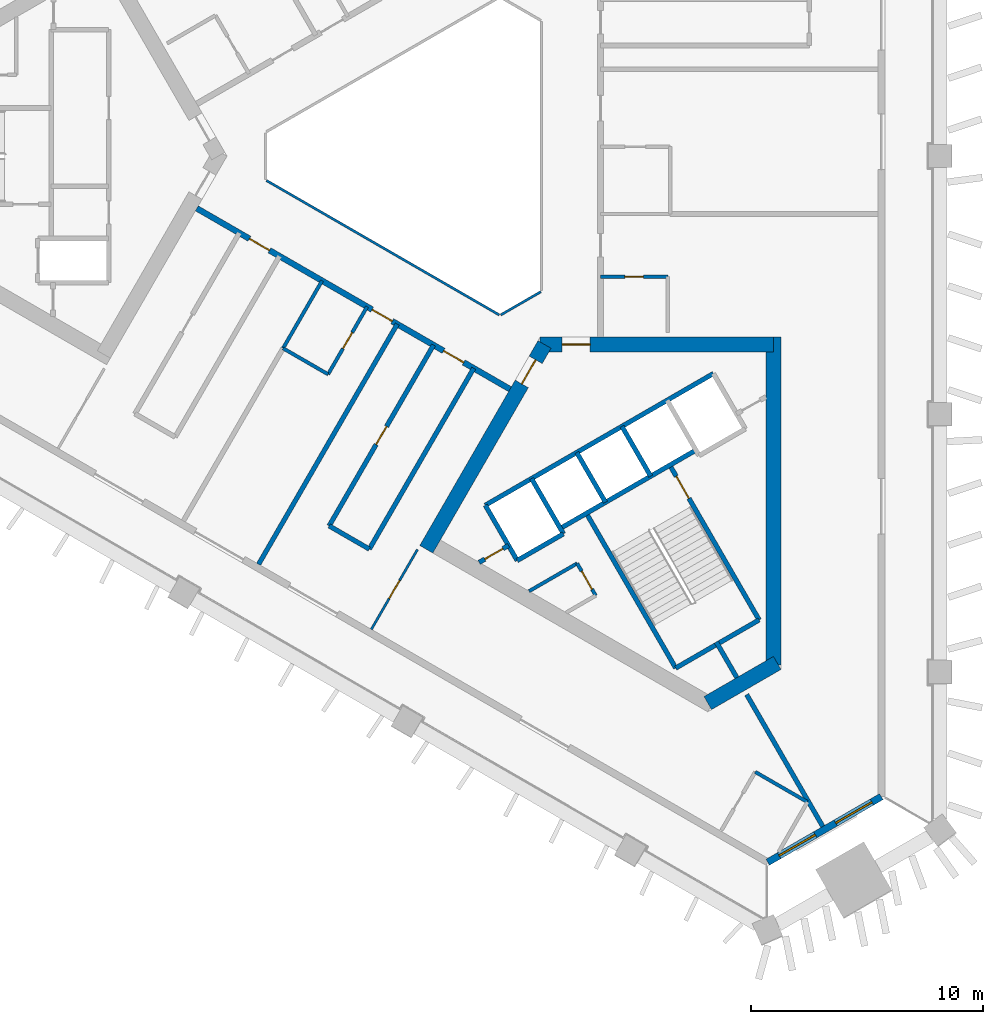
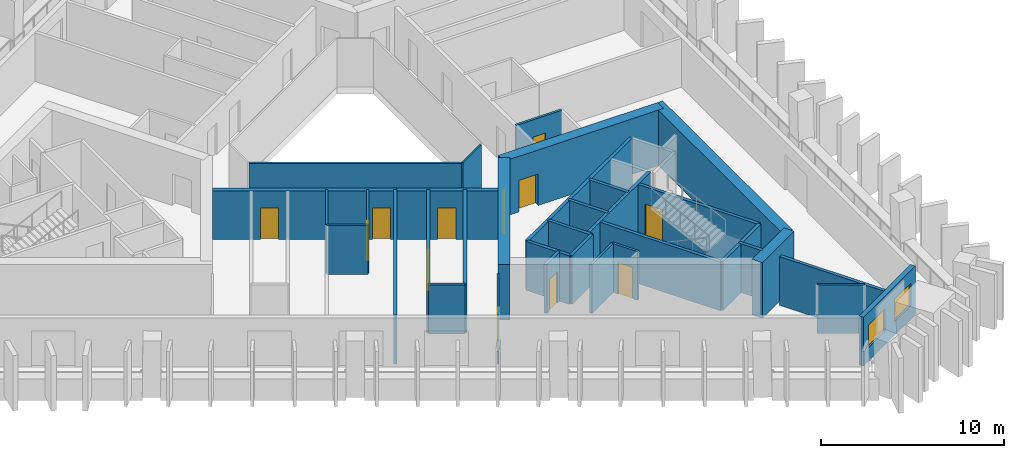
# One storey, part 3 of 11: 33 walls, 12 doors, 2 windows, 14 openings.
"""IFC4 building model written with IfcOpenShell, lengths in metres."""

from ifc_helpers import new_model, si_unit, direction, frame, frame_2d, origin, place, context, subcontext, project, spatial, rectangle, extrude, material, layer, layer_set, type_object, element, fill, save


model = new_model("IFC4")

# Units and contexts
model_context = context("Model", 3, precision=1e-05, world=origin(), true_north=direction((0.0, 1.0)))
body_context = subcontext(model_context, "Body", "Model", "MODEL_VIEW")
ifc_project = project(units=[si_unit("LENGTHUNIT", "METRE"), si_unit("AREAUNIT", "SQUARE_METRE"), si_unit("VOLUMEUNIT", "CUBIC_METRE"), si_unit("PLANEANGLEUNIT", "RADIAN"), si_unit("MASSUNIT", "GRAM", prefix="KILO")], contexts=[model_context])

# Site, building, storey
site_placement = place(None, origin())
site = spatial("IfcSite", under=ifc_project, at=site_placement, CompositionType="ELEMENT")
building_placement = place(site_placement, origin())
building = spatial("IfcBuilding", under=site, at=building_placement, Name="Jabali Bay Hotel Tower and Convention Centre", CompositionType="ELEMENT")
storey_placement = place(building_placement, frame((0.0, 0.0, 143.800048828125)))
storey = spatial("IfcBuildingStorey", under=building, at=storey_placement, Name="L35", CompositionType="ELEMENT", Elevation=143.800048828125)

# Walls
ifc_material_1 = material(Name="Fire-resistant glazing", Category="glass")
ifc_layer_1 = layer(ifc_material_1, 0.10009765625)
ifc_layer_set_1 = layer_set([ifc_layer_1], Name="Fire-resistant glazing")
wall_type_1 = type_object("IfcWallType", Name="Atrium glazed screen 100", PredefinedType="PARTITIONING", material=ifc_layer_set_1)
wall_1_placement = place(storey_placement, frame((67.7021484375, 78.947998046875, 0.0), z_axis=(0.0, 0.0, 1.0), x_axis=(0.866026658274, -0.499997827154, 0.0)))
element("IfcWall", 1, at=wall_1_placement, inside=storey, type_object=wall_type_1, Name="Atrium screen 5 L35", PredefinedType="PARTITIONING", context=body_context, shape_type="SweptSolid", body=[
    extrude(rectangle(XDim=11.58837890625, YDim=0.10009765625, at=frame_2d((5.794189453125, 0.0))), origin(), (0.0, 0.0, 1.0), 3.25),
])
wall_2_placement = place(storey_placement, frame((77.7978515625, 73.15380859375, 0.0), z_axis=(0.0, 0.0, 1.0), x_axis=(0.866041268327, 0.499972520799, 0.0)))
element("IfcWall", 2, at=wall_2_placement, inside=storey, type_object=wall_type_1, Name="Atrium screen 6 L35", PredefinedType="PARTITIONING", context=body_context, shape_type="SweptSolid", body=[
    extrude(rectangle(XDim=2.0, YDim=0.10009765625, at=frame_2d((1.0, 0.0))), origin(), (0.0, 0.0, 1.0), 3.25),
])
ifc_material_2 = material(Name="Concrete C40", Category="concrete")
ifc_layer_2 = layer(ifc_material_2, 0.199951171875)
ifc_layer_set_2 = layer_set([ifc_layer_2], Name="Concrete C40")
wall_type_2 = type_object("IfcWallType", Name="Core partition wall 200", PredefinedType="PARTITIONING", material=ifc_layer_set_2)
wall_3_placement = place(storey_placement, frame((87.090087890625, 59.0595703125, 0.0), z_axis=(0.0, 0.0, 1.0), x_axis=(0.499944938281, -0.866057191349, 0.0)))
element("IfcWall", 3, at=wall_3_placement, inside=storey, type_object=wall_type_2, Name="Core wall 2.5 L35", PredefinedType="PARTITIONING", context=body_context, shape_type="SweptSolid", body=[
    extrude(rectangle(XDim=1.773193359375, YDim=0.199951171875, at=frame_2d((0.88671875, 0.0))), origin(), (0.0, 0.0, 1.0), 3.25),
])

# Wall, opening, door
wall_4_placement = place(storey_placement, frame((76.869873046875, 62.489013671875, 0.0), z_axis=(0.0, 0.0, 1.0), x_axis=(0.866054810376, 0.49994906283, 0.0)))
wall_4 = element("IfcWall", 4, at=wall_4_placement, inside=storey, type_object=wall_type_2, Name="Core wall 2.11 L35", PredefinedType="PARTITIONING", context=body_context, shape_type="SweptSolid", body=[
    extrude(rectangle(XDim=1.461181640625, YDim=0.199951171875, at=frame_2d((0.73046875, 0.0))), origin(), (0.0, 0.0, 1.0), 3.25),
])
opening_1_placement = place(wall_4_placement, frame((0.280517578125, 0.0, 0.0)))
opening_1 = element("IfcOpeningElement", 5, at=opening_1_placement, cuts=wall_4, Name="Opening D779", PredefinedType="OPENING", context=body_context, shape_type="SweptSolid", body=[
    extrude(rectangle(XDim=0.89990234375, YDim=2.10009765625, at=frame_2d((0.449951171875, 1.050048828125))), frame((0.0, 0.1103515625, 0.0), z_axis=(0.0, -1.0, 0.0), x_axis=(1.0, 0.0, 0.0)), (0.0, 0.0, 1.0), 0.220947265625),
])
ifc_material_3 = material(Name="Fire-rated steel door", Category="steel")
door_type_1 = type_object("IfcDoorType", Name="Vestibule fire door 900 x 2100", OperationType="NOTDEFINED", PredefinedType="NOTDEFINED", material=ifc_material_3)
door_1_placement = place(opening_1_placement, origin())
door_1 = element("IfcDoor", 6, at=door_1_placement, inside=storey, type_object=door_type_1, Name="Vestibule fire door D779", OperationType="SINGLE_SWING_LEFT", OverallHeight=2.10009765625, OverallWidth=0.89990234375, PredefinedType="NOTDEFINED", context=body_context, shape_type="SweptSolid", body=[
    extrude(rectangle(XDim=0.89990234375, YDim=2.10009765625, at=frame_2d((0.449951171875, 1.050048828125))), frame((0.0, 0.02490234375, 0.0), z_axis=(0.0, -1.0, 0.0), x_axis=(1.0, 0.0, 0.0)), (0.0, 0.0, 1.0), 0.050048828125),
])
fill(opening_1, door_1)

ifc_material_4 = material(Name="Fire-rated board partition")
ifc_layer_3 = layer(ifc_material_4, 0.14990234375)
ifc_layer_set_3 = layer_set([ifc_layer_3], Name="Fire-rated board partition")
wall_type_3 = type_object("IfcWallType", Name="Core room partition 150", PredefinedType="PARTITIONING", material=ifc_layer_set_3)
wall_5_placement = place(storey_placement, frame((81.093994140625, 62.445068359375, 0.0), z_axis=(0.0, 0.0, 1.0), x_axis=(0.499880961361, -0.866094119867, 0.0)))
wall_5 = element("IfcWall", 7, at=wall_5_placement, inside=storey, type_object=wall_type_3, Name="Core wall 2.1 L35", PredefinedType="PARTITIONING", context=body_context, shape_type="SweptSolid", body=[
    extrude(rectangle(XDim=1.60009765625, YDim=0.14990234375, at=frame_2d((0.800048828125, 0.0))), origin(), (0.0, 0.0, 1.0), 3.25),
])
opening_2_placement = place(wall_5_placement, frame((0.387451171875, 0.0, 0.0)))
opening_2 = element("IfcOpeningElement", 8, at=opening_2_placement, cuts=wall_5, Name="Opening D781", PredefinedType="OPENING", context=body_context, shape_type="SweptSolid", body=[
    extrude(rectangle(XDim=0.89990234375, YDim=2.10009765625, at=frame_2d((0.449951171875, 1.050048828125))), frame((0.0, 0.08544921875, 0.0), z_axis=(0.0, -1.0, 0.0), x_axis=(1.0, 0.0, 0.0)), (0.0, 0.0, 1.0), 0.1708984375),
])
door_type_2 = type_object("IfcDoorType", Name="Core room door 900 x 2100", OperationType="NOTDEFINED", PredefinedType="NOTDEFINED", material=ifc_material_3)
door_2_placement = place(opening_2_placement, origin())
door_2 = element("IfcDoor", 9, at=door_2_placement, inside=storey, type_object=door_type_2, Name="Core room door D781", OperationType="SINGLE_SWING_LEFT", OverallHeight=2.10009765625, OverallWidth=0.89990234375, PredefinedType="NOTDEFINED", context=body_context, shape_type="SweptSolid", body=[
    extrude(rectangle(XDim=0.89990234375, YDim=2.10009765625, at=frame_2d((0.449951171875, 1.050048828125))), frame((0.0, 0.02490234375, 0.0), z_axis=(0.0, -1.0, 0.0), x_axis=(1.0, 0.0, 0.0)), (0.0, 0.0, 1.0), 0.050048828125),
])
fill(opening_2, door_2)

# Walls
wall_6_placement = place(storey_placement, frame((79.02001953125, 61.247802734375, 0.0), z_axis=(0.0, 0.0, 1.0), x_axis=(0.866051471819, 0.499954846121, 0.0)))
element("IfcWall", 10, at=wall_6_placement, inside=storey, type_object=wall_type_3, Name="Core wall 2.16 L35", PredefinedType="PARTITIONING", context=body_context, shape_type="SweptSolid", body=[
    extrude(rectangle(XDim=2.394775390625, YDim=0.14990234375, at=frame_2d((1.197265625, 0.0))), origin(), (0.0, 0.0, 1.0), 3.25),
])
ifc_layer_4 = layer(ifc_material_2, 0.199951171875)
ifc_layer_set_4 = layer_set([ifc_layer_4], Name="Concrete C40")
wall_type_4 = type_object("IfcWallType", Name="Core stair wall 200", PredefinedType="SOLIDWALL", material=ifc_layer_set_4)
for number, where, z_axis, x_axis, name in (
    (11, (77.13525390625, 64.95166015625, 0.0), (0.0, 0.0, 1.0), (0.499996545922, -0.866027397988, 0.0), "Core wall 2.0 L35"),
    (12, (79.127197265625, 66.1015625, 0.0), (0.0, 0.0, 1.0), (0.499996545922, -0.866027397988, 0.0), "Core wall 2.2 L35"),
):
    element("IfcWall", number, at=place(storey_placement, frame(where, z_axis=z_axis, x_axis=x_axis)), inside=storey, type_object=wall_type_4, Name=name, PredefinedType="SOLIDWALL", context=body_context, shape_type="SweptSolid", body=[
        extrude(rectangle(XDim=2.75, YDim=0.199951171875, at=frame_2d((1.375, 0.0))), origin(), (0.0, 0.0, 1.0), 3.25),
    ])
wall_7_placement = place(storey_placement, frame((81.492919921875, 64.603759765625, 0.0), z_axis=(0.0, 0.0, 1.0), x_axis=(0.500006057782, -0.866021906294, 0.0)))
element("IfcWall", 13, at=wall_7_placement, inside=storey, type_object=wall_type_4, Name="Core wall 2.3 L35", PredefinedType="SOLIDWALL", context=body_context, shape_type="SweptSolid", body=[
    extrude(rectangle(XDim=7.7001953125, YDim=0.199951171875, at=frame_2d((3.85009765625, 0.0))), origin(), (0.0, 0.0, 1.0), 3.25),
])
for number, where, z_axis, x_axis, name in (
    (14, (81.07568359375, 67.2265625, 0.0), (0.0, 0.0, 1.0), (0.50000366821, -0.866023285932, 0.0), "Core wall 2.4 L35"),
    (15, (83.024169921875, 68.3515625, 0.0), (0.0, 0.0, 1.0), (0.50000366821, -0.866023285932, 0.0), "Core wall 2.6 L35"),
):
    element("IfcWall", number, at=place(storey_placement, frame(where, z_axis=z_axis, x_axis=x_axis)), inside=storey, type_object=wall_type_4, Name=name, PredefinedType="SOLIDWALL", context=body_context, shape_type="SweptSolid", body=[
        extrude(rectangle(XDim=2.47998046875, YDim=0.199951171875, at=frame_2d((1.239990234375, 0.0))), origin(), (0.0, 0.0, 1.0), 3.25),
    ])

# Wall, opening, door
wall_8_placement = place(storey_placement, frame((85.0869140625, 66.6787109375, 0.0), z_axis=(0.0, 0.0, 1.0), x_axis=(0.500019787375, -0.866013979237, 0.0)))
wall_8 = element("IfcWall", 16, at=wall_8_placement, inside=storey, type_object=wall_type_4, Name="Core wall 2.7 L35", PredefinedType="SOLIDWALL", context=body_context, shape_type="SweptSolid", body=[
    extrude(rectangle(XDim=7.699951171875, YDim=0.199951171875, at=frame_2d((3.85009765625, 0.0))), origin(), (0.0, 0.0, 1.0), 3.25),
])
opening_3_placement = place(wall_8_placement, frame((0.550048828125, 0.0, 0.0)))
opening_3 = element("IfcOpeningElement", 17, at=opening_3_placement, cuts=wall_8, Name="Opening D780", PredefinedType="OPENING", context=body_context, shape_type="SweptSolid", body=[
    extrude(rectangle(XDim=1.10009765625, YDim=2.10009765625, at=frame_2d((0.550048828125, 1.050048828125))), frame((0.0, 0.1103515625, 0.0), z_axis=(0.0, -1.0, 0.0), x_axis=(1.0, 0.0, 0.0)), (0.0, 0.0, 1.0), 0.220947265625),
])
door_type_3 = type_object("IfcDoorType", Name="Stair fire door 1100 x 2100", OperationType="NOTDEFINED", PredefinedType="NOTDEFINED", material=ifc_material_3)
door_3_placement = place(opening_3_placement, origin())
door_3 = element("IfcDoor", 18, at=door_3_placement, inside=storey, type_object=door_type_3, Name="Stair fire door D780", OperationType="SINGLE_SWING_RIGHT", OverallHeight=2.10009765625, OverallWidth=1.10009765625, PredefinedType="NOTDEFINED", context=body_context, shape_type="SweptSolid", body=[
    extrude(rectangle(XDim=1.10009765625, YDim=2.10009765625, at=frame_2d((0.550048828125, 1.050048828125))), frame((0.0, 0.02490234375, 0.0), z_axis=(0.0, -1.0, 0.0), x_axis=(1.0, 0.0, 0.0)), (0.0, 0.0, 1.0), 0.050048828125),
])
fill(opening_3, door_3)

# Walls
wall_9_placement = place(storey_placement, frame((77.13525390625, 64.95166015625, 0.0), z_axis=(0.0, 0.0, 1.0), x_axis=(0.866031916153, 0.499988720078, 0.0)))
element("IfcWall", 19, at=wall_9_placement, inside=storey, type_object=wall_type_4, Name="Core wall 2.10 L35", PredefinedType="SOLIDWALL", context=body_context, shape_type="SweptSolid", body=[
    extrude(rectangle(XDim=11.349853515625, YDim=0.199951171875, at=frame_2d((5.6748046875, 0.0))), origin(), (0.0, 0.0, 1.0), 3.25),
])
wall_10_placement = place(storey_placement, frame((80.3671875, 63.953857421875, 0.0), z_axis=(0.0, 0.0, 1.0), x_axis=(0.866026575979, 0.499997969693, 0.0)))
element("IfcWall", 20, at=wall_10_placement, inside=storey, type_object=wall_type_4, Name="Core wall 2.13 L35", PredefinedType="SOLIDWALL", context=body_context, shape_type="SweptSolid", body=[
    extrude(rectangle(XDim=6.75, YDim=0.199951171875, at=frame_2d((3.375, 0.0))), origin(), (0.0, 0.0, 1.0), 3.25),
])
wall_11_placement = place(storey_placement, frame((78.51025390625, 62.570068359375, 0.0), z_axis=(0.0, 0.0, 1.0), x_axis=(0.866053019151, 0.499952165731, 0.0)))
element("IfcWall", 21, at=wall_11_placement, inside=storey, type_object=wall_type_4, Name="Core wall 2.14 L35", PredefinedType="SOLIDWALL", context=body_context, shape_type="SweptSolid", body=[
    extrude(rectangle(XDim=2.300048828125, YDim=0.199951171875, at=frame_2d((1.14990234375, 0.0))), origin(), (0.0, 0.0, 1.0), 3.25),
])
wall_12_placement = place(storey_placement, frame((85.343017578125, 57.935302734375, 0.0), z_axis=(0.0, 0.0, 1.0), x_axis=(0.866004344652, 0.500036473714, 0.0)))
element("IfcWall", 22, at=wall_12_placement, inside=storey, type_object=wall_type_4, Name="Core wall 2.18 L35", PredefinedType="SOLIDWALL", context=body_context, shape_type="SweptSolid", body=[
    extrude(rectangle(XDim=4.150146484375, YDim=0.199951171875, at=frame_2d((2.0751953125, 0.0))), origin(), (0.0, 0.0, 1.0), 3.25),
])

# Wall, opening, door
ifc_material_5 = material(Name="Concrete C60", Category="concrete")
ifc_layer_5 = layer(ifc_material_5, 0.64990234375)
ifc_layer_set_5 = layer_set([ifc_layer_5], Name="Concrete C60")
wall_type_5 = type_object("IfcWallType", Name="Core wall 650", PredefinedType="SHEAR", material=ifc_layer_set_5)
wall_13_placement = place(storey_placement, frame((79.687744140625, 71.880859375, 0.0), z_axis=(0.0, 0.0, 1.0), x_axis=(-0.49999822179, -0.866026430432, 0.0)))
wall_13 = element("IfcWall", 23, at=wall_13_placement, inside=storey, type_object=wall_type_5, Name="Core wall 3.1 L35", PredefinedType="SHEAR", context=body_context, shape_type="SweptSolid", body=[
    extrude(rectangle(XDim=10.1923828125, YDim=0.64990234375, at=frame_2d((5.09619140625, 0.0))), origin(), (0.0, 0.0, 1.0), 3.699951171875),
])
opening_4_placement = place(wall_13_placement, frame((0.762451171875, 0.0, 0.0)))
opening_4 = element("IfcOpeningElement", 24, at=opening_4_placement, cuts=wall_13, Name="Opening D776", PredefinedType="OPENING", context=body_context, shape_type="SweptSolid", body=[
    extrude(rectangle(XDim=1.199951171875, YDim=2.10009765625, at=frame_2d((0.60009765625, 1.050048828125))), frame((0.0, 0.33544921875, 0.0), z_axis=(0.0, -1.0, 0.0), x_axis=(1.0, 0.0, 0.0)), (0.0, 0.0, 1.0), 0.6708984375),
])
door_type_4 = type_object("IfcDoorType", Name="Corridor end fire door 1200 x 2100", OperationType="NOTDEFINED", PredefinedType="NOTDEFINED", material=ifc_material_3)
door_4_placement = place(opening_4_placement, origin())
door_4 = element("IfcDoor", 25, at=door_4_placement, inside=storey, type_object=door_type_4, Name="Corridor end fire door D776", OperationType="SINGLE_SWING_RIGHT", OverallHeight=2.10009765625, OverallWidth=1.199951171875, PredefinedType="NOTDEFINED", context=body_context, shape_type="SweptSolid", body=[
    extrude(rectangle(XDim=1.199951171875, YDim=2.10009765625, at=frame_2d((0.60009765625, 1.050048828125))), frame((0.0, 0.02490234375, 0.0), z_axis=(0.0, -1.0, 0.0), x_axis=(1.0, 0.0, 0.0)), (0.0, 0.0, 1.0), 0.050048828125),
])
fill(opening_4, door_4)

# Walls
wall_14_placement = place(storey_placement, frame((86.72314453125, 56.425048828125, 0.0), z_axis=(0.0, 0.0, 1.0), x_axis=(0.866031550877, 0.499989352773, 0.0)))
element("IfcWall", 26, at=wall_14_placement, inside=storey, type_object=wall_type_5, Name="Core wall 3.3 L35", PredefinedType="SHEAR", context=body_context, shape_type="SweptSolid", body=[
    extrude(rectangle(XDim=3.45751953125, YDim=0.64990234375, at=frame_2d((1.728759765625, 0.0))), origin(), (0.0, 0.0, 1.0), 3.699951171875),
])
wall_15_placement = place(storey_placement, frame((89.554931640625, 58.06005859375, 0.0), z_axis=(0.0, 0.0, 1.0), x_axis=(0.0, 1.0, 0.0)))
element("IfcWall", 27, at=wall_15_placement, inside=storey, type_object=wall_type_5, Name="Core wall 3.4 L35", PredefinedType="SHEAR", context=body_context, shape_type="SweptSolid", body=[
    extrude(rectangle(XDim=14.145751953125, YDim=0.64990234375, at=frame_2d((7.07275390625, 0.0))), origin(), (0.0, 0.0, 1.0), 3.699951171875),
])

# Wall, opening, door
wall_16_placement = place(storey_placement, frame((89.554931640625, 71.880859375, 0.0), z_axis=(0.0, 0.0, 1.0), x_axis=(-1.0, 0.0, 0.0)))
wall_16 = element("IfcWall", 28, at=wall_16_placement, inside=storey, type_object=wall_type_5, Name="Core wall 3.5 L35", PredefinedType="SHEAR", context=body_context, shape_type="SweptSolid", body=[
    extrude(rectangle(XDim=10.054931640625, YDim=0.64990234375, at=frame_2d((5.02734375, 0.0))), origin(), (0.0, 0.0, 1.0), 3.699951171875),
])
opening_5_placement = place(wall_16_placement, frame((7.905029296875, 0.0, 0.0)))
opening_5 = element("IfcOpeningElement", 29, at=opening_5_placement, cuts=wall_16, Name="Opening D777", PredefinedType="OPENING", context=body_context, shape_type="SweptSolid", body=[
    extrude(rectangle(XDim=1.199951171875, YDim=2.10009765625, at=frame_2d((0.60009765625, 1.050048828125))), frame((0.0, 0.33544921875, 0.0), z_axis=(0.0, -1.0, 0.0), x_axis=(1.0, 0.0, 0.0)), (0.0, 0.0, 1.0), 0.6708984375),
])
door_5_placement = place(opening_5_placement, origin())
door_5 = element("IfcDoor", 30, at=door_5_placement, inside=storey, type_object=door_type_4, Name="Corridor end fire door D777", OperationType="SINGLE_SWING_LEFT", OverallHeight=2.10009765625, OverallWidth=1.199951171875, PredefinedType="NOTDEFINED", context=body_context, shape_type="SweptSolid", body=[
    extrude(rectangle(XDim=1.199951171875, YDim=2.10009765625, at=frame_2d((0.60009765625, 1.050048828125))), frame((0.0, 0.02490234375, 0.0), z_axis=(0.0, -1.0, 0.0), x_axis=(1.0, 0.0, 0.0)), (0.0, 0.0, 1.0), 0.050048828125),
])
fill(opening_5, door_5)

# Wall, openings, doors
ifc_layer_6 = layer(ifc_material_5, 0.25)
ifc_layer_set_6 = layer_set([ifc_layer_6], Name="Concrete C60")
wall_type_6 = type_object("IfcWallType", Name="Corridor wall 250", PredefinedType="SHEAR", material=ifc_layer_set_6)
wall_17_placement = place(storey_placement, frame((64.699951171875, 77.748291015625, 0.0), z_axis=(0.0, 0.0, 1.0), x_axis=(0.866026492143, -0.499998114903, 0.0)))
wall_17 = element("IfcWall", 31, at=wall_17_placement, inside=storey, type_object=wall_type_6, Name="Corridor wall 3 L35", PredefinedType="SHEAR", context=body_context, shape_type="SweptSolid", body=[
    extrude(rectangle(XDim=15.58837890625, YDim=0.25, at=frame_2d((7.794189453125, 0.0))), origin(), (0.0, 0.0, 1.0), 3.25),
])
opening_6_placement = place(wall_17_placement, frame((2.61767578125, 0.0, 0.0)))
opening_6 = element("IfcOpeningElement", 32, at=opening_6_placement, cuts=wall_17, Name="Opening 3517", PredefinedType="OPENING", context=body_context, shape_type="SweptSolid", body=[
    extrude(rectangle(XDim=1.0, YDim=2.10009765625, at=frame_2d((0.5, 1.050048828125))), frame((0.0, 0.135498046875, 0.0), z_axis=(0.0, -1.0, 0.0), x_axis=(1.0, 0.0, 0.0)), (0.0, 0.0, 1.0), 0.27099609375),
])
opening_7_placement = place(wall_17_placement, frame((8.7265625, 0.0, 0.0)))
opening_7 = element("IfcOpeningElement", 33, at=opening_7_placement, cuts=wall_17, Name="Opening 3522", PredefinedType="OPENING", context=body_context, shape_type="SweptSolid", body=[
    extrude(rectangle(XDim=1.0, YDim=2.10009765625, at=frame_2d((0.5, 1.050048828125))), frame((0.0, 0.135498046875, 0.0), z_axis=(0.0, -1.0, 0.0), x_axis=(1.0, 0.0, 0.0)), (0.0, 0.0, 1.0), 0.27099609375),
])
opening_8_placement = place(wall_17_placement, frame((12.282470703125, 0.0, 0.0)))
opening_8 = element("IfcOpeningElement", 34, at=opening_8_placement, cuts=wall_17, Name="Opening 3523", PredefinedType="OPENING", context=body_context, shape_type="SweptSolid", body=[
    extrude(rectangle(XDim=1.0, YDim=2.10009765625, at=frame_2d((0.5, 1.050048828125))), frame((0.0, 0.135498046875, 0.0), z_axis=(0.0, -1.0, 0.0), x_axis=(1.0, 0.0, 0.0)), (0.0, 0.0, 1.0), 0.27099609375),
])
ifc_material_6 = material(Name="Timber", Category="wood")
door_type_5 = type_object("IfcDoorType", Name="Guest room door 1000 x 2100", OperationType="NOTDEFINED", PredefinedType="NOTDEFINED", material=ifc_material_6)
door_6_placement = place(opening_6_placement, origin())
door_6 = element("IfcDoor", 35, at=door_6_placement, inside=storey, type_object=door_type_5, Name="Door 3517", OperationType="SINGLE_SWING_LEFT", OverallHeight=2.10009765625, OverallWidth=1.0, PredefinedType="NOTDEFINED", context=body_context, shape_type="SweptSolid", body=[
    extrude(rectangle(XDim=1.0, YDim=2.10009765625, at=frame_2d((0.5, 1.050048828125))), frame((0.0, 0.02490234375, 0.0), z_axis=(0.0, -1.0, 0.0), x_axis=(1.0, 0.0, 0.0)), (0.0, 0.0, 1.0), 0.050048828125),
])
fill(opening_6, door_6)
door_7_placement = place(opening_7_placement, origin())
door_7 = element("IfcDoor", 36, at=door_7_placement, inside=storey, type_object=door_type_5, Name="Door 3522", OperationType="SINGLE_SWING_RIGHT", OverallHeight=2.10009765625, OverallWidth=1.0, PredefinedType="NOTDEFINED", context=body_context, shape_type="SweptSolid", body=[
    extrude(rectangle(XDim=1.0, YDim=2.10009765625, at=frame_2d((0.5, 1.050048828125))), frame((0.0, 0.02490234375, 0.0), z_axis=(0.0, -1.0, 0.0), x_axis=(1.0, 0.0, 0.0)), (0.0, 0.0, 1.0), 0.050048828125),
])
fill(opening_7, door_7)
door_8_placement = place(opening_8_placement, origin())
door_8 = element("IfcDoor", 37, at=door_8_placement, inside=storey, type_object=door_type_5, Name="Door 3523", OperationType="SINGLE_SWING_RIGHT", OverallHeight=2.10009765625, OverallWidth=1.0, PredefinedType="NOTDEFINED", context=body_context, shape_type="SweptSolid", body=[
    extrude(rectangle(XDim=1.0, YDim=2.10009765625, at=frame_2d((0.5, 1.050048828125))), frame((0.0, 0.02490234375, 0.0), z_axis=(0.0, -1.0, 0.0), x_axis=(1.0, 0.0, 0.0)), (0.0, 0.0, 1.0), 0.050048828125),
])
fill(opening_8, door_8)

# Wall, openings, windows
ifc_layer_7 = layer(ifc_material_2, 0.300048828125)
ifc_layer_set_7 = layer_set([ifc_layer_7], Name="Concrete C40")
wall_type_7 = type_object("IfcWallType", Name="External wall 300", PredefinedType="SOLIDWALL", material=ifc_layer_set_7)
wall_18_placement = place(storey_placement, frame((94.202392578125, 52.39013671875, 0.0), z_axis=(0.0, 0.0, 1.0), x_axis=(-0.866019355129, -0.500010476433, 0.0)))
wall_18 = element("IfcWall", 38, at=wall_18_placement, inside=storey, type_object=wall_type_7, Name="External wall south-east chamfer L35", PredefinedType="SOLIDWALL", context=body_context, shape_type="SweptSolid", body=[
    extrude(rectangle(XDim=5.64990234375, YDim=0.300048828125, at=frame_2d((2.824951171875, 0.0))), origin(), (0.0, 0.0, 1.0), 3.25),
])
opening_9_placement = place(wall_18_placement, frame((3.28369140625, 0.0, 0.89990234375)))
opening_9 = element("IfcOpeningElement", 39, at=opening_9_placement, cuts=wall_18, Name="Opening W1", PredefinedType="OPENING", context=body_context, shape_type="SweptSolid", body=[
    extrude(rectangle(XDim=1.800048828125, YDim=1.5, at=frame_2d((0.89990234375, 0.75))), frame((0.0, 0.16064453125, 0.0), z_axis=(0.0, -1.0, 0.0), x_axis=(1.0, 0.0, 0.0)), (0.0, 0.0, 1.0), 0.321044921875),
])
opening_10_placement = place(wall_18_placement, frame((0.4697265625, 0.0, 0.89990234375)))
opening_10 = element("IfcOpeningElement", 40, at=opening_10_placement, cuts=wall_18, Name="Opening W1", PredefinedType="OPENING", context=body_context, shape_type="SweptSolid", body=[
    extrude(rectangle(XDim=1.800048828125, YDim=1.5, at=frame_2d((0.89990234375, 0.75))), frame((0.0, 0.16064453125, 0.0), z_axis=(0.0, -1.0, 0.0), x_axis=(1.0, 0.0, 0.0)), (0.0, 0.0, 1.0), 0.321044921875),
])
ifc_material_7 = material(Name="Glass", Category="glass")
window_type = type_object("IfcWindowType", Name="Window 1800 x 1500", PartitioningType="SINGLE_PANEL", PredefinedType="WINDOW", material=ifc_material_7)
window_1_placement = place(opening_9_placement, origin())
window_1 = element("IfcWindow", 41, at=window_1_placement, inside=storey, type_object=window_type, Name="Window 3512", OverallHeight=1.5, OverallWidth=1.800048828125, PartitioningType="SINGLE_PANEL", PredefinedType="WINDOW", context=body_context, shape_type="SweptSolid", body=[
    extrude(rectangle(XDim=1.800048828125, YDim=1.5, at=frame_2d((0.89990234375, 0.75))), frame((0.0, 0.030029296875, 0.0), z_axis=(0.0, -1.0, 0.0), x_axis=(1.0, 0.0, 0.0)), (0.0, 0.0, 1.0), 0.06005859375),
])
fill(opening_9, window_1)
window_2_placement = place(opening_10_placement, origin())
window_2 = element("IfcWindow", 42, at=window_2_placement, inside=storey, type_object=window_type, Name="Window 3501", OverallHeight=1.5, OverallWidth=1.800048828125, PartitioningType="SINGLE_PANEL", PredefinedType="WINDOW", context=body_context, shape_type="SweptSolid", body=[
    extrude(rectangle(XDim=1.800048828125, YDim=1.5, at=frame_2d((0.89990234375, 0.75))), frame((0.0, 0.030029296875, 0.0), z_axis=(0.0, -1.0, 0.0), x_axis=(1.0, 0.0, 0.0)), (0.0, 0.0, 1.0), 0.06005859375),
])
fill(opening_10, window_2)

# Wall, opening, door
ifc_material_8 = material(Name="Plasterboard on steel stud", Category="steel")
ifc_layer_8 = layer(ifc_material_8, 0.10009765625)
ifc_layer_set_8 = layer_set([ifc_layer_8], Name="Plasterboard on steel stud")
wall_type_8 = type_object("IfcWallType", Name="Partition 100 unit", PredefinedType="PARTITIONING", material=ifc_layer_set_8)
wall_19_placement = place(storey_placement, frame((72.22314453125, 59.60205078125, 0.0), z_axis=(0.0, 0.0, 1.0), x_axis=(0.499997169302, 0.866027038082, 0.0)))
wall_19 = element("IfcWall", 43, at=wall_19_placement, inside=storey, type_object=wall_type_8, Name="Partition P02 L35 043", PredefinedType="PARTITIONING", context=body_context, shape_type="SweptSolid", body=[
    extrude(rectangle(XDim=3.974609375, YDim=0.10009765625, at=frame_2d((1.9873046875, 0.0))), origin(), (0.0, 0.0, 1.0), 3.25),
])
opening_11_placement = place(wall_19_placement, frame((1.537109375, 0.0, 0.0)))
opening_11 = element("IfcOpeningElement", 44, at=opening_11_placement, cuts=wall_19, Name="Opening 3524", PredefinedType="OPENING", context=body_context, shape_type="SweptSolid", body=[
    extrude(rectangle(XDim=0.89990234375, YDim=2.10009765625, at=frame_2d((0.449951171875, 1.050048828125))), frame((0.0, 0.060546875, 0.0), z_axis=(0.0, -1.0, 0.0), x_axis=(1.0, 0.0, 0.0)), (0.0, 0.0, 1.0), 0.12109375),
])
door_type_6 = type_object("IfcDoorType", Name="Internal door 900 x 2100", OperationType="NOTDEFINED", PredefinedType="NOTDEFINED", material=ifc_material_6)
door_9_placement = place(opening_11_placement, origin())
door_9 = element("IfcDoor", 45, at=door_9_placement, inside=storey, type_object=door_type_6, Name="Door 3524", OperationType="SINGLE_SWING_LEFT", OverallHeight=2.10009765625, OverallWidth=0.89990234375, PredefinedType="NOTDEFINED", context=body_context, shape_type="SweptSolid", body=[
    extrude(rectangle(XDim=0.89990234375, YDim=2.10009765625, at=frame_2d((0.449951171875, 1.050048828125))), frame((0.0, 0.02490234375, 0.0), z_axis=(0.0, -1.0, 0.0), x_axis=(1.0, 0.0, 0.0)), (0.0, 0.0, 1.0), 0.050048828125),
])
fill(opening_11, door_9)

ifc_layer_9 = layer(ifc_material_8, 0.14990234375)
ifc_layer_set_9 = layer_set([ifc_layer_9], Name="Plasterboard on steel stud")
wall_type_9 = type_object("IfcWallType", Name="Partition 150 wet", PredefinedType="PARTITIONING", material=ifc_layer_set_9)
wall_20_placement = place(storey_placement, frame((82.10009765625, 74.8056640625, 0.0), z_axis=(0.0, 0.0, 1.0), x_axis=(1.0, 0.0, 0.0)))
wall_20 = element("IfcWall", 46, at=wall_20_placement, inside=storey, type_object=wall_type_9, Name="Partition P03 L35 001", PredefinedType="PARTITIONING", context=body_context, shape_type="SweptSolid", body=[
    extrude(rectangle(XDim=2.89990234375, YDim=0.14990234375, at=frame_2d((1.449951171875, 0.0))), origin(), (0.0, 0.0, 1.0), 3.25),
])
opening_12_placement = place(wall_20_placement, frame((1.050048828125, 0.0, 0.0)))
opening_12 = element("IfcOpeningElement", 47, at=opening_12_placement, cuts=wall_20, Name="Opening 3501", PredefinedType="OPENING", context=body_context, shape_type="SweptSolid", body=[
    extrude(rectangle(XDim=0.800048828125, YDim=2.10009765625, at=frame_2d((0.39990234375, 1.050048828125))), frame((0.0, 0.08544921875, 0.0), z_axis=(0.0, -1.0, 0.0), x_axis=(1.0, 0.0, 0.0)), (0.0, 0.0, 1.0), 0.1708984375),
])
door_type_7 = type_object("IfcDoorType", Name="En-suite door 800 x 2100", OperationType="NOTDEFINED", PredefinedType="NOTDEFINED", material=ifc_material_6)
door_10_placement = place(opening_12_placement, origin())
door_10 = element("IfcDoor", 48, at=door_10_placement, inside=storey, type_object=door_type_7, Name="Door 3501", OperationType="SINGLE_SWING_LEFT", OverallHeight=2.10009765625, OverallWidth=0.800048828125, PredefinedType="NOTDEFINED", context=body_context, shape_type="SweptSolid", body=[
    extrude(rectangle(XDim=0.800048828125, YDim=2.10009765625, at=frame_2d((0.39990234375, 1.050048828125))), frame((0.0, 0.02490234375, 0.0), z_axis=(0.0, -1.0, 0.0), x_axis=(1.0, 0.0, 0.0)), (0.0, 0.0, 1.0), 0.050048828125),
])
fill(opening_12, door_10)

# Wall
wall_21_placement = place(storey_placement, frame((68.41796875, 71.717041015625, 0.0), z_axis=(0.0, 0.0, 1.0), x_axis=(0.499994660107, 0.866028486751, 0.0)))
element("IfcWall", 49, at=wall_21_placement, inside=storey, type_object=wall_type_9, Name="Partition P03 L35 036", PredefinedType="PARTITIONING", context=body_context, shape_type="SweptSolid", body=[
    extrude(rectangle(XDim=3.3642578125, YDim=0.14990234375, at=frame_2d((1.68212890625, 0.0))), origin(), (0.0, 0.0, 1.0), 3.25),
])

# Wall, opening, door
wall_22_placement = place(storey_placement, frame((72.041015625, 73.510009765625, 0.0), z_axis=(0.0, 0.0, 1.0), x_axis=(-0.499994660107, -0.866028486751, 0.0)))
wall_22 = element("IfcWall", 50, at=wall_22_placement, inside=storey, type_object=wall_type_9, Name="Partition P03 L35 040", PredefinedType="PARTITIONING", context=body_context, shape_type="SweptSolid", body=[
    extrude(rectangle(XDim=3.3642578125, YDim=0.14990234375, at=frame_2d((1.68212890625, 0.0))), origin(), (0.0, 0.0, 1.0), 3.25),
])
opening_13_placement = place(wall_22_placement, frame((1.281982421875, 0.0, 0.0)))
opening_13 = element("IfcOpeningElement", 51, at=opening_13_placement, cuts=wall_22, Name="Opening 3521", PredefinedType="OPENING", context=body_context, shape_type="SweptSolid", body=[
    extrude(rectangle(XDim=0.800048828125, YDim=2.10009765625, at=frame_2d((0.39990234375, 1.050048828125))), frame((0.0, 0.08544921875, 0.0), z_axis=(0.0, -1.0, 0.0), x_axis=(1.0, 0.0, 0.0)), (0.0, 0.0, 1.0), 0.1708984375),
])
door_11_placement = place(opening_13_placement, origin())
door_11 = element("IfcDoor", 52, at=door_11_placement, inside=storey, type_object=door_type_7, Name="Door 3521", OperationType="SINGLE_SWING_LEFT", OverallHeight=2.10009765625, OverallWidth=0.800048828125, PredefinedType="NOTDEFINED", context=body_context, shape_type="SweptSolid", body=[
    extrude(rectangle(XDim=0.800048828125, YDim=2.10009765625, at=frame_2d((0.39990234375, 1.050048828125))), frame((0.0, 0.02490234375, 0.0), z_axis=(0.0, -1.0, 0.0), x_axis=(1.0, 0.0, 0.0)), (0.0, 0.0, 1.0), 0.050048828125),
])
fill(opening_13, door_11)

# Walls
wall_23_placement = place(storey_placement, frame((70.35888671875, 70.596435546875, 0.0), z_axis=(0.0, 0.0, 1.0), x_axis=(-0.866022320763, 0.500005339912, 0.0)))
element("IfcWall", 53, at=wall_23_placement, inside=storey, type_object=wall_type_9, Name="Partition P03 L35 041", PredefinedType="PARTITIONING", context=body_context, shape_type="SweptSolid", body=[
    extrude(rectangle(XDim=2.2412109375, YDim=0.14990234375, at=frame_2d((1.12060546875, 0.0))), origin(), (0.0, 0.0, 1.0), 3.25),
])
wall_24_placement = place(storey_placement, frame((88.76806640625, 53.45849609375, 0.0), z_axis=(0.0, 0.0, 1.0), x_axis=(0.866021400173, -0.500006934395, 0.0)))
element("IfcWall", 54, at=wall_24_placement, inside=storey, type_object=wall_type_9, Name="Partition P03 L35 048", PredefinedType="PARTITIONING", context=body_context, shape_type="SweptSolid", body=[
    extrude(rectangle(XDim=2.60009765625, YDim=0.14990234375, at=frame_2d((1.300048828125, 0.0))), origin(), (0.0, 0.0, 1.0), 3.25),
])
ifc_layer_10 = layer(ifc_material_8, 0.199951171875)
ifc_layer_set_10 = layer_set([ifc_layer_10], Name="Plasterboard on steel stud")
wall_type_10 = type_object("IfcWallType", Name="Partition 200 party", PredefinedType="PARTITIONING", material=ifc_layer_set_10)
wall_25_placement = place(storey_placement, frame((88.401123046875, 56.788818359375, 0.0), z_axis=(0.0, 0.0, 1.0), x_axis=(0.499993018469, -0.866029434536, 0.0)))
element("IfcWall", 55, at=wall_25_placement, inside=storey, type_object=wall_type_10, Name="Partition P01 L35 005", PredefinedType="PARTITIONING", context=body_context, shape_type="SweptSolid", body=[
    extrude(rectangle(XDim=6.56103515625, YDim=0.199951171875, at=frame_2d((3.280517578125, 0.0))), origin(), (0.0, 0.0, 1.0), 3.25),
])
wall_26_placement = place(storey_placement, frame((67.36328125, 62.407958984375, 0.0), z_axis=(0.0, 0.0, 1.0), x_axis=(0.500002969958, 0.866023689072, 0.0)))
element("IfcWall", 56, at=wall_26_placement, inside=storey, type_object=wall_type_10, Name="Partition P01 L35 042", PredefinedType="PARTITIONING", context=body_context, shape_type="SweptSolid", body=[
    extrude(rectangle(XDim=11.95361328125, YDim=0.199951171875, at=frame_2d((5.976806640625, 0.0))), origin(), (0.0, 0.0, 1.0), 3.25),
])
wall_27_placement = place(storey_placement, frame((76.635986328125, 70.857177734375, 0.0), z_axis=(0.0, 0.0, 1.0), x_axis=(-0.499990139034, -0.866031096941, 0.0)))
element("IfcWall", 57, at=wall_27_placement, inside=storey, type_object=wall_type_10, Name="Partition P01 L35 044", PredefinedType="PARTITIONING", context=body_context, shape_type="SweptSolid", body=[
    extrude(rectangle(XDim=9.000244140625, YDim=0.199951171875, at=frame_2d((4.5, 0.0))), origin(), (0.0, 0.0, 1.0), 3.25),
])
wall_28_placement = place(storey_placement, frame((72.135986328125, 63.062744140625, 0.0), z_axis=(0.0, 0.0, 1.0), x_axis=(-0.866010750942, 0.50002537861, 0.0)))
element("IfcWall", 58, at=wall_28_placement, inside=storey, type_object=wall_type_10, Name="Partition P01 L35 045", PredefinedType="PARTITIONING", context=body_context, shape_type="SweptSolid", body=[
    extrude(rectangle(XDim=2.0, YDim=0.199951171875, at=frame_2d((1.0, 0.0))), origin(), (0.0, 0.0, 1.0), 3.25),
])

# Wall, opening, door
wall_29_placement = place(storey_placement, frame((70.404052734375, 64.062744140625, 0.0), z_axis=(0.0, 0.0, 1.0), x_axis=(0.499990139034, 0.866031096941, 0.0)))
wall_29 = element("IfcWall", 59, at=wall_29_placement, inside=storey, type_object=wall_type_10, Name="Partition P01 L35 046", PredefinedType="PARTITIONING", context=body_context, shape_type="SweptSolid", body=[
    extrude(rectangle(XDim=9.000244140625, YDim=0.199951171875, at=frame_2d((4.5, 0.0))), origin(), (0.0, 0.0, 1.0), 3.25),
])
opening_14_placement = place(wall_29_placement, frame((4.050048828125, 0.0, 0.0)))
opening_14 = element("IfcOpeningElement", 60, at=opening_14_placement, cuts=wall_29, Name="Opening 3526", PredefinedType="OPENING", context=body_context, shape_type="SweptSolid", body=[
    extrude(rectangle(XDim=0.89990234375, YDim=2.10009765625, at=frame_2d((0.449951171875, 1.050048828125))), frame((0.0, 0.1103515625, 0.0), z_axis=(0.0, -1.0, 0.0), x_axis=(1.0, 0.0, 0.0)), (0.0, 0.0, 1.0), 0.220947265625),
])
door_12_placement = place(opening_14_placement, origin())
door_12 = element("IfcDoor", 61, at=door_12_placement, inside=storey, type_object=door_type_6, Name="Door 3526", OperationType="SINGLE_SWING_LEFT", OverallHeight=2.10009765625, OverallWidth=0.89990234375, PredefinedType="NOTDEFINED", context=body_context, shape_type="SweptSolid", body=[
    extrude(rectangle(XDim=0.89990234375, YDim=2.10009765625, at=frame_2d((0.449951171875, 1.050048828125))), frame((0.0, 0.02490234375, 0.0), z_axis=(0.0, -1.0, 0.0), x_axis=(1.0, 0.0, 0.0)), (0.0, 0.0, 1.0), 0.050048828125),
])
fill(opening_14, door_12)

save(model, "model.ifc")
